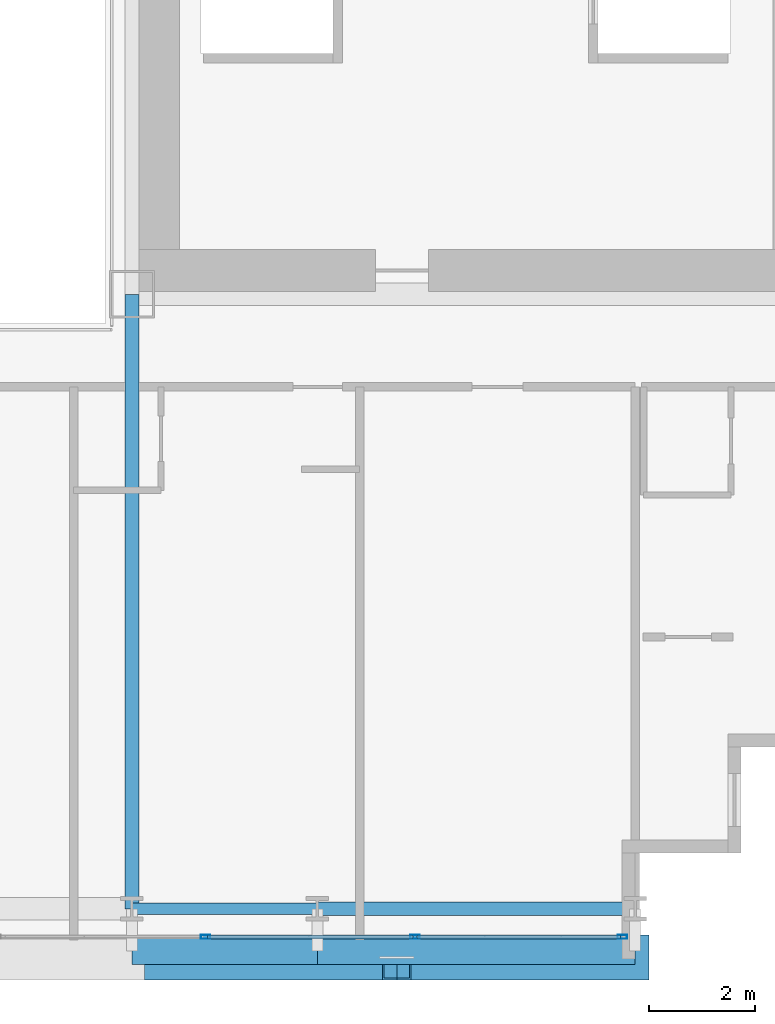
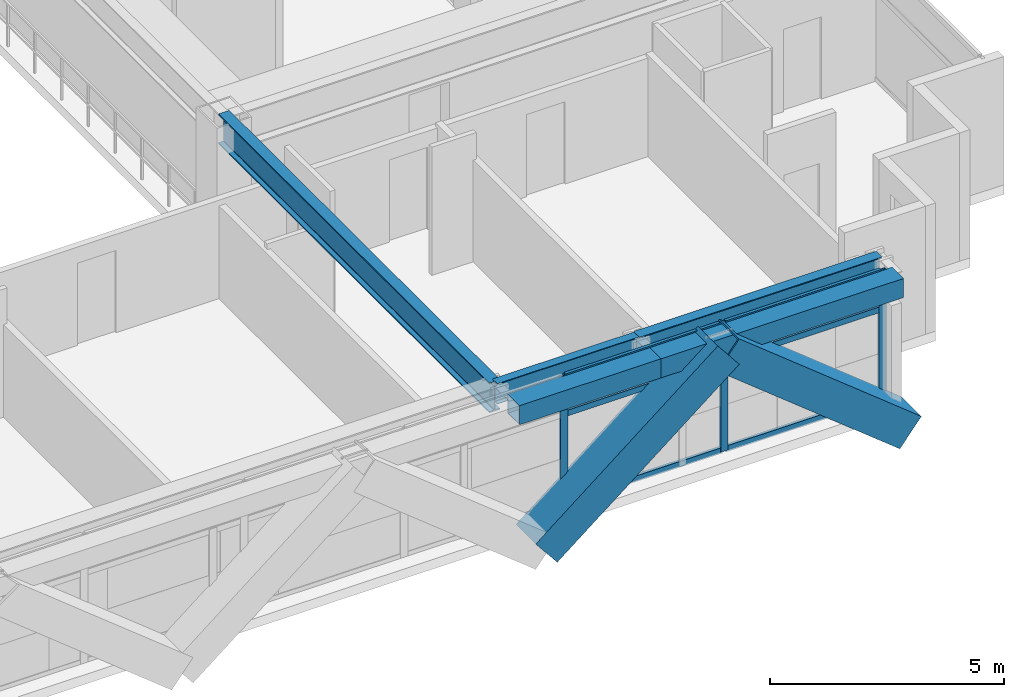
# One storey, part 10 of 35: 11 members, 5 beams, 1 element without a shape of its own.
"""IFC4 building model written with IfcOpenShell, lengths in metres."""

from ifc_helpers import new_model, si_unit, direction, frame, origin, origin_2d, place, context, subcontext, project, spatial, hollow_rectangle, i_section, extrude, source, transform, mapped, material, layer, layer_set, material_profile, profile_set, type_object, element, aggregate, save


model = new_model("IFC4")

# Units and contexts
model_context = context("Model", 3, precision=1e-05, world=origin(), true_north=direction((0.0, 1.0)))
body_context = subcontext(model_context, "Body", "Model", "MODEL_VIEW")
ifc_project = project(units=[si_unit("LENGTHUNIT", "METRE"), si_unit("AREAUNIT", "SQUARE_METRE"), si_unit("VOLUMEUNIT", "CUBIC_METRE"), si_unit("PLANEANGLEUNIT", "RADIAN"), si_unit("MASSUNIT", "GRAM", prefix="KILO")], contexts=[model_context])

# Site, building, storey
site_placement = place(None, origin())
site = spatial("IfcSite", under=ifc_project, at=site_placement, CompositionType="ELEMENT")
building_placement = place(site_placement, origin())
building = spatial("IfcBuilding", under=site, at=building_placement, Name="Ocotamira Hotel", CompositionType="ELEMENT")
storey_placement = place(building_placement, frame((0.0, 0.0, 49.199951171875)))
storey = spatial("IfcBuildingStorey", under=building, at=storey_placement, Name="L11", CompositionType="ELEMENT", Elevation=49.199951171875)

# Beams
ifc_material_1 = material(Name="Steel ASTM A992 Grade 50", Category="steel")
ifc_material_profile_1 = material_profile(ifc_material_1, i_section(OverallWidth=0.256103515625, OverallDepth=0.693115234375, WebThickness=0.014404296875, FlangeThickness=0.023681640625, FilletRadius=0.01611328125, at=origin_2d()), Name="W27X114")
ifc_profile_set_1 = profile_set([ifc_material_profile_1], Name="Steel ASTM A992 Grade 50")
beam_type_1 = type_object("IfcBeamType", Name="BM-PRIM-W27X114", PredefinedType="BEAM", material=ifc_profile_set_1)
shared_shape_1 = source(origin(), body_context, "Body", "SweptSolid", [
    extrude(i_section(OverallWidth=0.256103515625, OverallDepth=0.693115234375, WebThickness=0.014404296875, FlangeThickness=0.023681640625, FilletRadius=0.01611328125, at=origin_2d()), origin(), (0.0, 0.0, 1.0), 6.0),
])
beam_1_placement = place(storey_placement, frame((44.0, 2.949951171875, 3.003662109375), z_axis=(1.0, 0.0, 0.0), x_axis=(0.0, 1.0, 0.0)))
element("IfcBeam", 1, at=beam_1_placement, inside=storey, type_object=beam_type_1, Name="L11 Girder Y2.95 X44-50", PredefinedType="BEAM", context=body_context, shape_type="MappedRepresentation", body=[
    mapped(shared_shape_1, transform((0.0, 0.0, 0.0), scale=1.0)),
])
ifc_material_profile_2 = material_profile(ifc_material_1, i_section(OverallWidth=0.2099609375, OverallDepth=0.537109375, WebThickness=0.010986328125, FlangeThickness=0.017333984375, FilletRadius=0.012939453125, at=origin_2d()), Name="W21X68")
ifc_profile_set_2 = profile_set([ifc_material_profile_2], Name="Steel ASTM A992 Grade 50")
beam_type_2 = type_object("IfcBeamType", Name="BM-SEC-W21X68", PredefinedType="JOIST", material=ifc_profile_set_2)
shared_shape_2 = source(origin(), body_context, "Body", "SweptSolid", [
    extrude(i_section(OverallWidth=0.2099609375, OverallDepth=0.537109375, WebThickness=0.010986328125, FlangeThickness=0.017333984375, FilletRadius=0.012939453125, at=origin_2d()), origin(), (0.0, 0.0, 1.0), 3.5),
])
beam_2_placement = place(storey_placement, frame((40.5, 2.949951171875, 3.08154296875), z_axis=(1.0, 0.0, 0.0), x_axis=(0.0, 1.0, 0.0)))
element("IfcBeam", 2, at=beam_2_placement, inside=storey, type_object=beam_type_2, Name="L11 Girder Y2.95 X40.5-44", PredefinedType="JOIST", context=body_context, shape_type="MappedRepresentation", body=[
    mapped(shared_shape_2, transform((0.0, 0.0, 0.0), scale=1.0)),
])
ifc_material_profile_3 = material_profile(ifc_material_1, i_section(OverallWidth=0.26611328125, OverallDepth=0.779052734375, WebThickness=0.0166015625, FlangeThickness=0.030029296875, FilletRadius=0.01806640625, at=origin_2d()), Name="W30X148")
ifc_profile_set_3 = profile_set([ifc_material_profile_3], Name="Steel ASTM A992 Grade 50")
beam_type_3 = type_object("IfcBeamType", Name="BM-GIRD-W30X148", PredefinedType="BEAM", material=ifc_profile_set_3)
shared_shape_3 = source(origin(), body_context, "Body", "SweptSolid", [
    extrude(i_section(OverallWidth=0.26611328125, OverallDepth=0.779052734375, WebThickness=0.0166015625, FlangeThickness=0.030029296875, FilletRadius=0.01806640625, at=origin_2d()), origin(), (0.0, 0.0, 1.0), 11.60009765625),
])
beam_3_placement = place(storey_placement, frame((40.5, 2.949951171875, 2.96044921875), z_axis=(0.0, 1.0, 0.0), x_axis=(-1.0, 0.0, 0.0)))
element("IfcBeam", 3, at=beam_3_placement, inside=storey, type_object=beam_type_3, Name="L11 Beam X40.5 Y2.95-14.55", PredefinedType="BEAM", context=body_context, shape_type="MappedRepresentation", body=[
    mapped(shared_shape_3, transform((0.0, 0.0, 0.0), scale=1.0)),
])
ifc_material_2 = material(Name="Steel ASTM A500 Grade C", Category="steel")
ifc_material_profile_4 = material_profile(ifc_material_2, hollow_rectangle(XDim=0.5, YDim=0.5, WallThickness=0.02001953125, at=origin_2d()), Name="HSS500X500X20")
ifc_profile_set_4 = profile_set([ifc_material_profile_4], Name="Steel ASTM A500 Grade C")
beam_type_4 = type_object("IfcBeamType", Name="BM-SPAN-HSS500", PredefinedType="USERDEFINED", material=ifc_profile_set_4)
shared_shape_4 = source(origin(), body_context, "Body", "SweptSolid", [
    extrude(hollow_rectangle(XDim=0.5, YDim=0.5, WallThickness=0.02001953125, at=origin_2d()), origin(), (0.0, 0.0, 1.0), 6.0),
])
beam_4_placement = place(storey_placement, frame((44.0, 2.14990234375, 3.10009765625), z_axis=(1.0, 0.0, 0.0), x_axis=(0.0, 1.0, 0.0)))
element("IfcBeam", 4, at=beam_4_placement, inside=storey, type_object=beam_type_4, Name="L11 Edge Spandrel S X44-50", ObjectType="SPANDREL", PredefinedType="USERDEFINED", context=body_context, shape_type="MappedRepresentation", body=[
    mapped(shared_shape_4, transform((0.0, 0.0, 0.0), scale=1.0)),
])
shared_shape_5 = source(origin(), body_context, "Body", "SweptSolid", [
    extrude(hollow_rectangle(XDim=0.5, YDim=0.5, WallThickness=0.02001953125, at=origin_2d()), origin(), (0.0, 0.0, 1.0), 3.5),
])
beam_5_placement = place(storey_placement, frame((40.5, 2.14990234375, 3.10009765625), z_axis=(1.0, 0.0, 0.0), x_axis=(0.0, 1.0, 0.0)))
element("IfcBeam", 5, at=beam_5_placement, inside=storey, type_object=beam_type_4, Name="L11 Edge Spandrel S X40.5-44", ObjectType="SPANDREL", PredefinedType="USERDEFINED", context=body_context, shape_type="MappedRepresentation", body=[
    mapped(shared_shape_5, transform((0.0, 0.0, 0.0), scale=1.0)),
])

# Members
ifc_material_3 = material(Name="Pale-metal coated steel ASTM A913 Grade 65", Category="steel")
ifc_material_profile_5 = material_profile(ifc_material_3, hollow_rectangle(XDim=0.85009765625, YDim=0.85009765625, WallThickness=0.035888671875, at=origin_2d()), Name="BOX850X850X36")
ifc_profile_set_5 = profile_set([ifc_material_profile_5], Name="Pale-metal coated steel ASTM A913 Grade 65")
member_type_1 = type_object("IfcMemberType", Name="MEM-EXO-BOX850", PredefinedType="BRACE", material=ifc_profile_set_5)
shared_shape_6 = source(origin(), body_context, "Body", "SweptSolid", [
    extrude(hollow_rectangle(XDim=0.85009765625, YDim=0.85009765625, WallThickness=0.035888671875, at=origin_2d()), origin(), (0.0, 0.0, 1.0), 5.762939453125),
])
for number, where, z_axis, x_axis, name in (
    (6, (41.0, 2.030029296875, -0.5), (0.780860543151, 0.0, 0.624705380279), (0.0, 1.0, 0.0), "L11 Exoskeleton Diagrid S3.1"),
    (7, (50.0, 2.030029296875, -0.5), (-0.780860543151, 0.0, 0.624705380279), (0.0, -1.0, 0.0), "L11 Exoskeleton Diagrid S3.2"),
):
    element("IfcMember", number, at=place(storey_placement, frame(where, z_axis=z_axis, x_axis=x_axis)), inside=storey, type_object=member_type_1, Name=name, PredefinedType="BRACE", context=body_context, shape_type="MappedRepresentation", body=[
        mapped(shared_shape_6, transform((0.0, 0.0, 0.0), scale=1.0)),
    ])

# Curtain wall, members
ifc_material_4 = material(Name="Anodised pale-metal aluminium and solar glass", Category="aluminium")
ifc_layer = layer(ifc_material_4, 0.179931640625)
ifc_layer_set = layer_set([ifc_layer], Name="Anodised pale-metal aluminium and solar glass")
curtain_wall_type = type_object("IfcCurtainWallType", Name="CW-SYS2-Z1", PredefinedType="NOTDEFINED", material=ifc_layer_set)
curtain_wall_placement = place(storey_placement, origin())
curtain_wall = element("IfcCurtainWall", 8, at=curtain_wall_placement, inside=storey, type_object=curtain_wall_type, Name="L11 Curtain Wall CW-2 CW-L11-S1", PredefinedType="NOTDEFINED")
ifc_material_5 = material(Name="Anodised pale-metal aluminium 6063-T6", Category="aluminium")
ifc_material_profile_6 = material_profile(ifc_material_5, hollow_rectangle(XDim=0.074951171875, YDim=0.14990234375, WallThickness=0.006103515625, at=origin_2d()), Name="HSS150X75X6")
ifc_profile_set_6 = profile_set([ifc_material_profile_6], Name="Anodised pale-metal aluminium 6063-T6")
member_type_2 = type_object("IfcMemberType", Name="CWT-150X75", PredefinedType="USERDEFINED", material=ifc_profile_set_6)
shared_shape_7 = source(origin(), body_context, "Body", "SweptSolid", [
    extrude(hollow_rectangle(XDim=0.074951171875, YDim=0.14990234375, WallThickness=0.006103515625, at=origin_2d()), origin(), (0.0, 0.0, 1.0), 3.83544921875),
])
member_1_placement = place(storey_placement, frame((45.884521484375, 2.419921875, 0.03759765625), z_axis=(1.0, 0.0, 0.0), x_axis=(0.0, 1.0, 0.0)))
member_1 = element("IfcMember", 9, at=member_1_placement, type_object=member_type_2, Name="CW-2 transom 9.1", ObjectType="TRANSOM", PredefinedType="USERDEFINED", context=body_context, shape_type="MappedRepresentation", body=[
    mapped(shared_shape_7, transform((0.0, 0.0, 0.0), scale=1.0)),
])
member_2_placement = place(storey_placement, frame((45.884521484375, 2.419921875, 2.35009765625), z_axis=(1.0, 0.0, 0.0), x_axis=(0.0, 1.0, 0.0)))
member_2 = element("IfcMember", 10, at=member_2_placement, type_object=member_type_2, Name="CW-2 transom 9.2", ObjectType="TRANSOM", PredefinedType="USERDEFINED", context=body_context, shape_type="MappedRepresentation", body=[
    mapped(shared_shape_7, transform((0.0, 0.0, 0.0), scale=1.0)),
])
member_3_placement = place(storey_placement, frame((45.884521484375, 2.419921875, 3.3125), z_axis=(1.0, 0.0, 0.0), x_axis=(0.0, 1.0, 0.0)))
member_3 = element("IfcMember", 11, at=member_3_placement, type_object=member_type_2, Name="CW-2 transom 9.3", ObjectType="TRANSOM", PredefinedType="USERDEFINED", context=body_context, shape_type="MappedRepresentation", body=[
    mapped(shared_shape_7, transform((0.0, 0.0, 0.0), scale=1.0)),
])
shared_shape_8 = source(origin(), body_context, "Body", "SweptSolid", [
    extrude(hollow_rectangle(XDim=0.074951171875, YDim=0.14990234375, WallThickness=0.006103515625, at=origin_2d()), origin(), (0.0, 0.0, 1.0), 3.87548828125),
])
member_4_placement = place(storey_placement, frame((41.928955078125, 2.419921875, 0.03759765625), z_axis=(1.0, 0.0, 0.0), x_axis=(0.0, 1.0, 0.0)))
member_4 = element("IfcMember", 12, at=member_4_placement, type_object=member_type_2, Name="CW-2 transom 8.1", ObjectType="TRANSOM", PredefinedType="USERDEFINED", context=body_context, shape_type="MappedRepresentation", body=[
    mapped(shared_shape_8, transform((0.0, 0.0, 0.0), scale=1.0)),
])
member_5_placement = place(storey_placement, frame((41.928955078125, 2.419921875, 2.35009765625), z_axis=(1.0, 0.0, 0.0), x_axis=(0.0, 1.0, 0.0)))
member_5 = element("IfcMember", 13, at=member_5_placement, type_object=member_type_2, Name="CW-2 transom 8.2", ObjectType="TRANSOM", PredefinedType="USERDEFINED", context=body_context, shape_type="MappedRepresentation", body=[
    mapped(shared_shape_8, transform((0.0, 0.0, 0.0), scale=1.0)),
])
member_6_placement = place(storey_placement, frame((41.928955078125, 2.419921875, 3.3125), z_axis=(1.0, 0.0, 0.0), x_axis=(0.0, 1.0, 0.0)))
member_6 = element("IfcMember", 14, at=member_6_placement, type_object=member_type_2, Name="CW-2 transom 8.3", ObjectType="TRANSOM", PredefinedType="USERDEFINED", context=body_context, shape_type="MappedRepresentation", body=[
    mapped(shared_shape_8, transform((0.0, 0.0, 0.0), scale=1.0)),
])
ifc_material_profile_7 = material_profile(ifc_material_5, hollow_rectangle(XDim=0.080078125, YDim=0.179931640625, WallThickness=0.006103515625, at=origin_2d()), Name="HSS180X80X6")
ifc_profile_set_7 = profile_set([ifc_material_profile_7], Name="Anodised pale-metal aluminium 6063-T6")
member_type_3 = type_object("IfcMemberType", Name="CWM-180X75", PredefinedType="MULLION", material=ifc_profile_set_7)
shared_shape_9 = source(origin(), body_context, "Body", "SweptSolid", [
    extrude(hollow_rectangle(XDim=0.080078125, YDim=0.179931640625, WallThickness=0.006103515625, at=origin_2d()), origin(), (0.0, 0.0, 1.0), 3.35009765625),
])
member_7_placement = place(storey_placement, frame((41.888916015625, 2.419921875, 0.0), z_axis=(0.0, 0.0, 1.0), x_axis=(0.0, 1.0, 0.0)))
member_7 = element("IfcMember", 15, at=member_7_placement, type_object=member_type_3, Name="CW-2 mullion 8", PredefinedType="MULLION", context=body_context, shape_type="MappedRepresentation", body=[
    mapped(shared_shape_9, transform((0.0, 0.0, 0.0), scale=1.0)),
])
member_8_placement = place(storey_placement, frame((45.844482421875, 2.419921875, 0.0), z_axis=(0.0, 0.0, 1.0), x_axis=(0.0, 1.0, 0.0)))
member_8 = element("IfcMember", 16, at=member_8_placement, type_object=member_type_3, Name="CW-2 mullion 9", PredefinedType="MULLION", context=body_context, shape_type="MappedRepresentation", body=[
    mapped(shared_shape_9, transform((0.0, 0.0, 0.0), scale=1.0)),
])
member_9_placement = place(storey_placement, frame((49.760009765625, 2.419921875, 0.0), z_axis=(0.0, 0.0, 1.0), x_axis=(0.0, 1.0, 0.0)))
member_9 = element("IfcMember", 17, at=member_9_placement, type_object=member_type_3, Name="CW-2 mullion 10", PredefinedType="MULLION", context=body_context, shape_type="MappedRepresentation", body=[
    mapped(shared_shape_9, transform((0.0, 0.0, 0.0), scale=1.0)),
])
aggregate(curtain_wall, [member_7, member_8, member_9, member_4, member_5, member_6, member_1, member_2, member_3])

save(model, "model.ifc")
